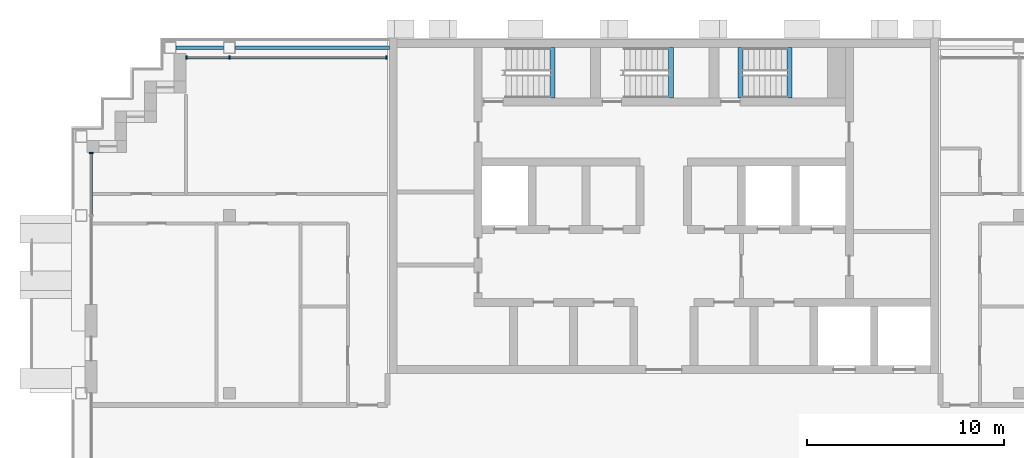
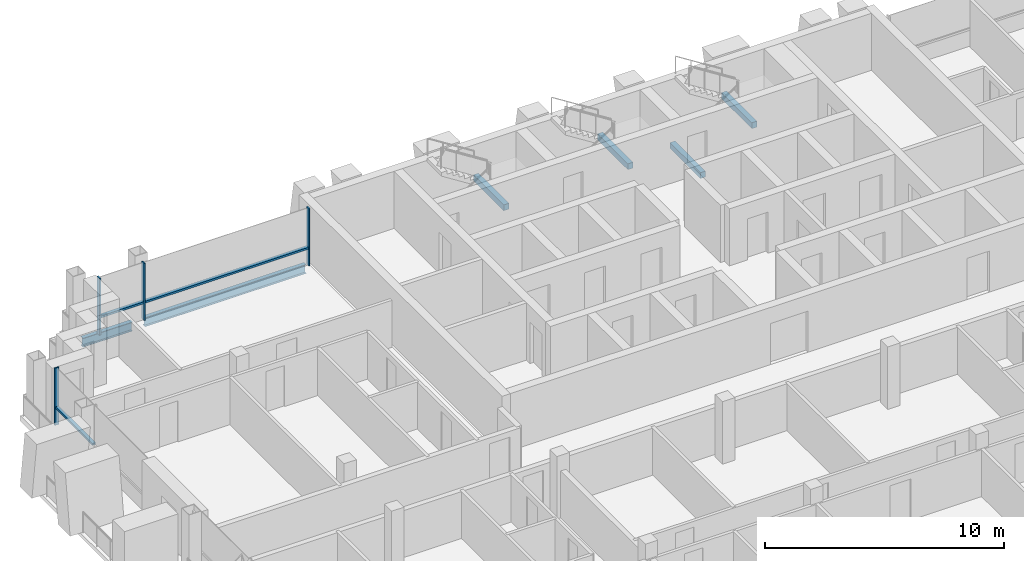
# One storey, part 4 of 16: 7 members, 6 beams, 2 elements without a shape of their own.
"""IFC4 building model written with IfcOpenShell, lengths in metres."""

from ifc_helpers import new_model, si_unit, direction, frame, origin, origin_2d, place, context, subcontext, project, spatial, rectangle, i_section, extrude, material, material_profile, profile_set, type_object, element, aggregate, save


model = new_model("IFC4")

# Units and contexts
model_context = context("Model", 3, precision=1e-05, world=origin(), true_north=direction((0.0, 1.0)))
body_context = subcontext(model_context, "Body", "Model", "MODEL_VIEW")
ifc_project = project(units=[si_unit("LENGTHUNIT", "METRE"), si_unit("AREAUNIT", "SQUARE_METRE"), si_unit("VOLUMEUNIT", "CUBIC_METRE"), si_unit("PLANEANGLEUNIT", "RADIAN"), si_unit("MASSUNIT", "GRAM", prefix="KILO")], contexts=[model_context])

# Site, building, storey
site_placement = place(None, origin())
site = spatial("IfcSite", under=ifc_project, at=site_placement, CompositionType="ELEMENT")
building_placement = place(site_placement, origin())
building = spatial("IfcBuilding", under=site, at=building_placement, Name="Vidyagriha Tower", CompositionType="ELEMENT")
storey_placement = place(building_placement, frame((0.0, 0.0, 207.60009765625)))
storey = spatial("IfcBuildingStorey", under=building, at=storey_placement, Name="L53", CompositionType="ELEMENT", Elevation=207.60009765625)

# Beams
ifc_material_1 = material(Name="Steel ASTM A992 Grade 50", Category="steel")
ifc_material_profile_1 = material_profile(ifc_material_1, i_section(OverallWidth=0.19189453125, OverallDepth=0.46240234375, WebThickness=0.010498046875, FlangeThickness=0.017578125, at=origin_2d()), Name="W18X60")
ifc_profile_set_1 = profile_set([ifc_material_profile_1], Name="Steel ASTM A992 Grade 50")
beam_type_1 = type_object("IfcBeamType", Name="Edge beam W18X60", PredefinedType="SPANDREL", material=ifc_profile_set_1)
beam_1_placement = place(storey_placement, frame((-24.699951171875, 19.5, -0.51123046875), z_axis=(1.0, 0.0, 0.0), x_axis=(0.0, 1.0, 0.0)))
element("IfcBeam", 1, at=beam_1_placement, inside=storey, type_object=beam_type_1, Name="st-beam-L53-NW05", PredefinedType="SPANDREL", context=body_context, shape_type="SweptSolid", body=[
    extrude(i_section(OverallWidth=0.19189453125, OverallDepth=0.46240234375, WebThickness=0.010498046875, FlangeThickness=0.017578125, at=origin_2d()), origin(), (0.0, 0.0, 1.0), 2.39990234375),
])
beam_2_placement = place(storey_placement, frame((-21.699951171875, 19.5, -0.51123046875), z_axis=(1.0, 0.0, 0.0), x_axis=(0.0, 1.0, 0.0)))
element("IfcBeam", 2, at=beam_2_placement, inside=storey, type_object=beam_type_1, Name="st-beam-L53-NC06", PredefinedType="SPANDREL", context=body_context, shape_type="SweptSolid", body=[
    extrude(i_section(OverallWidth=0.19189453125, OverallDepth=0.46240234375, WebThickness=0.010498046875, FlangeThickness=0.017578125, at=origin_2d()), origin(), (0.0, 0.0, 1.0), 7.800048828125),
])

# Curtain wall, members
ifc_material_2 = material(Name="Aluminium and glass curtain wall", Category="aluminium")
curtain_wall_type = type_object("IfcCurtainWallType", Name="Dwelling skin unitised curtain wall", PredefinedType="USERDEFINED", material=ifc_material_2)
curtain_wall_1_placement = place(storey_placement, origin())
curtain_wall_1 = element("IfcCurtainWall", 3, at=curtain_wall_1_placement, inside=storey, type_object=curtain_wall_type, Name="CW1 dwelling skin", ObjectType="UNITISED", PredefinedType="USERDEFINED")
ifc_material_3 = material(Name="Aluminium black anodised", Category="aluminium")
ifc_material_profile_2 = material_profile(ifc_material_3, rectangle(XDim=0.199951171875, YDim=0.070068359375, at=origin_2d()), Name="Mullion 70x200 black aluminium")
ifc_profile_set_2 = profile_set([ifc_material_profile_2], Name="Aluminium black anodised")
member_type_1 = type_object("IfcMemberType", Name="Mullion 70x200 black aluminium", PredefinedType="MULLION", material=ifc_profile_set_2)
member_1_placement = place(storey_placement, frame((-14.034912109375, 19.0, 0.0), z_axis=(0.0, 0.0, 1.0), x_axis=(0.0, -1.0, 0.0)))
member_1 = element("IfcMember", 4, at=member_1_placement, type_object=member_type_1, Name="CW1 mullion 1", PredefinedType="MULLION", context=body_context, shape_type="SweptSolid", body=[
    extrude(rectangle(XDim=0.199951171875, YDim=0.070068359375, at=origin_2d()), origin(), (0.0, 0.0, 1.0), 2.919921875),
])
member_2_placement = place(storey_placement, frame((-22.0, 19.0, 0.0), z_axis=(0.0, 0.0, 1.0), x_axis=(0.0, -1.0, 0.0)))
member_2 = element("IfcMember", 5, at=member_2_placement, type_object=member_type_1, Name="CW1 mullion 2", PredefinedType="MULLION", context=body_context, shape_type="SweptSolid", body=[
    extrude(rectangle(XDim=0.199951171875, YDim=0.070068359375, at=origin_2d()), origin(), (0.0, 0.0, 1.0), 2.919921875),
])
member_3_placement = place(storey_placement, frame((-24.1650390625, 19.0, 0.0), z_axis=(0.0, 0.0, 1.0), x_axis=(0.0, -1.0, 0.0)))
member_3 = element("IfcMember", 6, at=member_3_placement, type_object=member_type_1, Name="CW1 mullion 3", PredefinedType="MULLION", context=body_context, shape_type="SweptSolid", body=[
    extrude(rectangle(XDim=0.199951171875, YDim=0.070068359375, at=origin_2d()), origin(), (0.0, 0.0, 1.0), 2.919921875),
])

# Curtain wall, member
curtain_wall_2_placement = place(storey_placement, origin())
curtain_wall_2 = element("IfcCurtainWall", 7, at=curtain_wall_2_placement, inside=storey, type_object=curtain_wall_type, Name="CW1 dwelling skin", ObjectType="UNITISED", PredefinedType="USERDEFINED")
member_4_placement = place(storey_placement, frame((-29.0, 14.1650390625, 0.0)))
member_4 = element("IfcMember", 8, at=member_4_placement, type_object=member_type_1, Name="CW1 mullion 1", PredefinedType="MULLION", context=body_context, shape_type="SweptSolid", body=[
    extrude(rectangle(XDim=0.199951171875, YDim=0.070068359375, at=origin_2d()), origin(), (0.0, 0.0, 1.0), 2.919921875),
])

# Beams
ifc_material_4 = material(Name="Concrete C40/50", Category="concrete")
ifc_material_profile_3 = material_profile(ifc_material_4, rectangle(XDim=0.25, YDim=0.300048828125, at=origin_2d()), Name="Stair landing bearing beam 250x300")
ifc_profile_set_3 = profile_set([ifc_material_profile_3], Name="Concrete C40/50")
beam_type_2 = type_object("IfcBeamType", Name="Stair landing bearing beam 250x300", PredefinedType="BEAM", material=ifc_profile_set_3)
for number, where, z_axis, x_axis, name in (
    (9, (3.875, 16.949951171875, -0.43017578125), (0.0, 1.0, 0.0), (-1.0, 0.0, 0.0), "ST3 floor landing bearing beam L53"),
    (10, (-5.635009765625, 16.949951171875, 1.25), (0.0, 1.0, 0.0), (-1.0, 0.0, 0.0), "ST1 landing bearing beam L53"),
    (11, (0.364990234375, 16.949951171875, 1.25), (0.0, 1.0, 0.0), (-1.0, 0.0, 0.0), "ST2 landing bearing beam L53"),
    (12, (6.364990234375, 16.949951171875, 1.25), (0.0, 1.0, 0.0), (-1.0, 0.0, 0.0), "ST3 landing bearing beam L53"),
):
    element("IfcBeam", number, at=place(storey_placement, frame(where, z_axis=z_axis, x_axis=x_axis)), inside=storey, type_object=beam_type_2, Name=name, PredefinedType="BEAM", context=body_context, shape_type="SweptSolid", body=[
        extrude(rectangle(XDim=0.25, YDim=0.300048828125, at=origin_2d()), origin(), (0.0, 0.0, 1.0), 2.550048828125),
    ])

# Member
ifc_material_5 = material(Name="Aluminium black anodised", Category="aluminium")
ifc_material_profile_4 = material_profile(ifc_material_5, rectangle(XDim=0.159912109375, YDim=0.10009765625, at=origin_2d()), Name="Transom 100x160 black aluminium")
ifc_profile_set_4 = profile_set([ifc_material_profile_4], Name="Aluminium black anodised")
member_type_2 = type_object("IfcMemberType", Name="Transom 100x160 black aluminium", PredefinedType="USERDEFINED", material=ifc_profile_set_4)
member_5_placement = place(storey_placement, frame((-14.070068359375, 19.0, 0.89990234375), z_axis=(-1.0, 0.0, 0.0), x_axis=(0.0, -1.0, 0.0)))
member_5 = element("IfcMember", 13, at=member_5_placement, type_object=member_type_2, Name="CW1 transom 1.1", ObjectType="TRANSOM", PredefinedType="USERDEFINED", context=body_context, shape_type="SweptSolid", body=[
    extrude(rectangle(XDim=0.159912109375, YDim=0.10009765625, at=origin_2d()), origin(), (0.0, 0.0, 1.0), 7.89501953125),
])

member_6_placement = place(storey_placement, frame((-22.034912109375, 19.0, 0.89990234375), z_axis=(-1.0, 0.0, 0.0), x_axis=(0.0, -1.0, 0.0)))
member_6 = element("IfcMember", 14, at=member_6_placement, type_object=member_type_2, Name="CW1 transom 2.1", ObjectType="TRANSOM", PredefinedType="USERDEFINED", context=body_context, shape_type="SweptSolid", body=[
    extrude(rectangle(XDim=0.159912109375, YDim=0.10009765625, at=origin_2d()), origin(), (0.0, 0.0, 1.0), 2.094970703125),
])

aggregate(curtain_wall_1, [member_1, member_2, member_3, member_5, member_6])

member_7_placement = place(storey_placement, frame((-29.0, 14.1298828125, 0.89990234375), z_axis=(0.0, -1.0, 0.0), x_axis=(1.0, 0.0, 0.0)))
member_7 = element("IfcMember", 15, at=member_7_placement, type_object=member_type_2, Name="CW1 transom 1.1", ObjectType="TRANSOM", PredefinedType="USERDEFINED", context=body_context, shape_type="SweptSolid", body=[
    extrude(rectangle(XDim=0.159912109375, YDim=0.10009765625, at=origin_2d()), origin(), (0.0, 0.0, 1.0), 3.094970703125),
])

aggregate(curtain_wall_2, [member_4, member_7])

save(model, "model.ifc")
